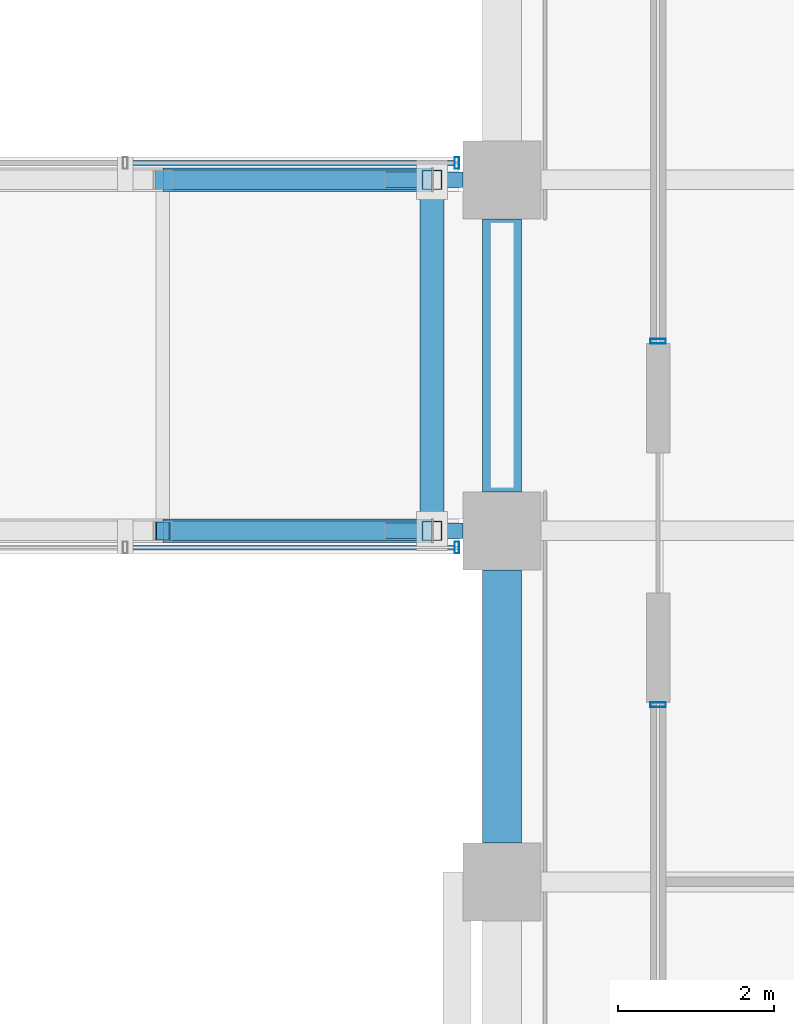
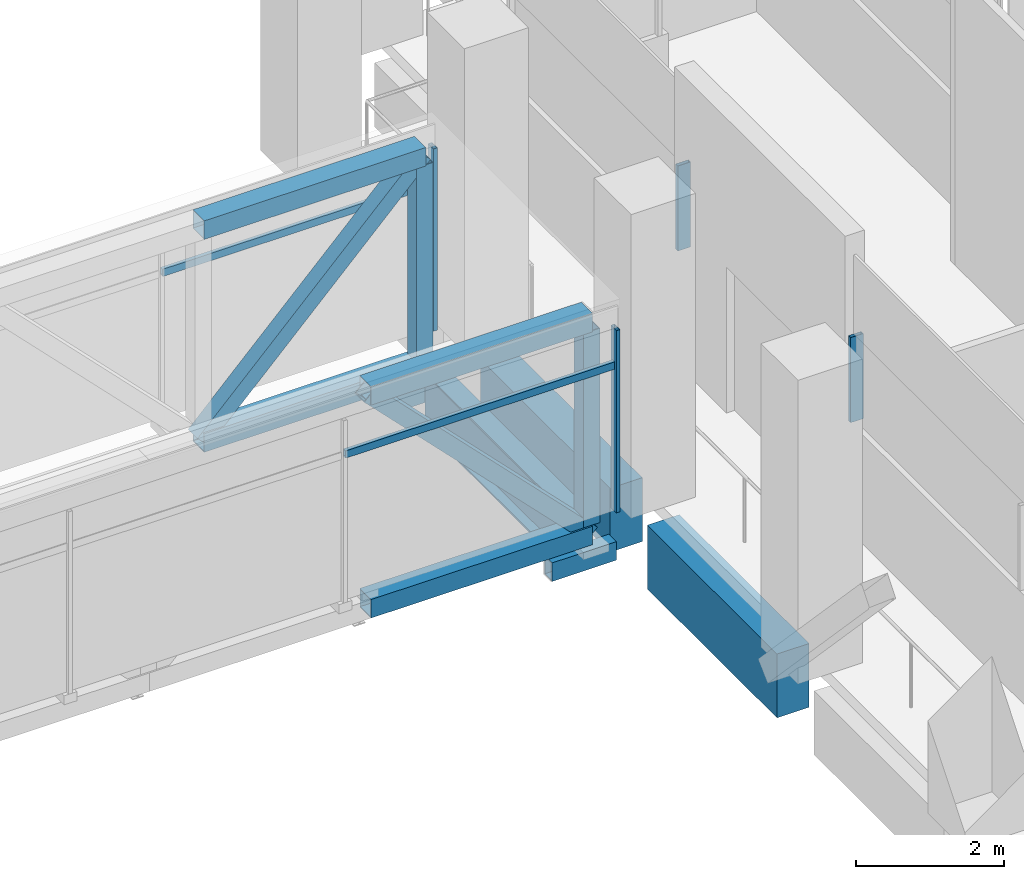
# One storey, part 25 of 48: 14 members, 5 beams, 4 elements without a shape of their own.
"""IFC4 building model written with IfcOpenShell, lengths in metres."""

from ifc_helpers import new_model, si_unit, direction, frame, origin, origin_2d, place, context, subcontext, project, spatial, rectangle, hollow_rectangle, i_section, extrude, material, material_profile, profile_set, type_object, element, aggregate, save


model = new_model("IFC4")

# Units and contexts
model_context = context("Model", 3, precision=1e-05, world=origin(), true_north=direction((0.0, 1.0)))
body_context = subcontext(model_context, "Body", "Model", "MODEL_VIEW")
ifc_project = project(units=[si_unit("LENGTHUNIT", "METRE"), si_unit("AREAUNIT", "SQUARE_METRE"), si_unit("VOLUMEUNIT", "CUBIC_METRE"), si_unit("PLANEANGLEUNIT", "RADIAN"), si_unit("MASSUNIT", "GRAM", prefix="KILO")], contexts=[model_context])

# Site, building, storey
site_placement = place(None, origin())
site = spatial("IfcSite", under=ifc_project, at=site_placement, CompositionType="ELEMENT")
building_placement = place(site_placement, origin())
building = spatial("IfcBuilding", under=site, at=building_placement, Name="Altepetl Exchange Towers", CompositionType="ELEMENT")
storey_placement = place(building_placement, frame((0.0, 0.0, 138.800048828125)))
storey = spatial("IfcBuildingStorey", under=building, at=storey_placement, Name="L34 Refuge and sky lobby", CompositionType="ELEMENT", Elevation=138.800048828125)

# Members
ifc_material_1 = material(Name="Steel S355", Category="steel")
ifc_material_profile_1 = material_profile(ifc_material_1, hollow_rectangle(XDim=0.304931640625, YDim=0.304931640625, WallThickness=0.01171875, at=origin_2d()), Name="HSS305X305X12.7")
ifc_profile_set_1 = profile_set([ifc_material_profile_1], Name="Steel S355")
member_type_1 = type_object("IfcMemberType", Name="Bridge chord HSS305X305X12.7", PredefinedType="CHORD", material=ifc_profile_set_1)
for number, where, z_axis, x_axis, name in (
    (1, (90.14990234375, 45.0, -0.3525390625), (1.0, 0.0, 0.0), (0.0, 1.0, 0.0), "tr:X:L34:bc-s5"),
    (2, (90.14990234375, 45.0, 3.15234375), (1.0, 0.0, 0.0), (0.0, 1.0, 0.0), "tr:X:L34:tc-s5"),
    (3, (90.14990234375, 49.5, -0.3525390625), (1.0, 0.0, 0.0), (0.0, 1.0, 0.0), "tr:X:L34:bc-n5"),
    (4, (90.14990234375, 49.5, 3.15234375), (1.0, 0.0, 0.0), (0.0, 1.0, 0.0), "tr:X:L34:tc-n5"),
):
    element("IfcMember", number, at=place(storey_placement, frame(where, z_axis=z_axis, x_axis=x_axis)), inside=storey, type_object=member_type_1, Name=name, PredefinedType="CHORD", context=body_context, shape_type="SweptSolid", body=[
        extrude(hollow_rectangle(XDim=0.304931640625, YDim=0.304931640625, WallThickness=0.01171875, at=origin_2d()), origin(), (0.0, 0.0, 1.0), 3.4501953125),
    ])

# Beams
ifc_material_profile_2 = material_profile(ifc_material_1, hollow_rectangle(XDim=0.202880859375, YDim=0.304931640625, WallThickness=0.01171875, at=origin_2d()), Name="HSS305X203X12.7")
ifc_profile_set_2 = profile_set([ifc_material_profile_2], Name="Steel S355")
beam_type_1 = type_object("IfcBeamType", Name="Bridge deck beam HSS305X203X12.7", PredefinedType="BEAM", material=ifc_profile_set_2)
for number, where, z_axis, x_axis, name in (
    (5, (94.0, 45.0, -0.777587890625), (-1.0, 0.0, 0.0), (0.0, -1.0, 0.0), "bm:X:L34:corbel-bs"),
    (6, (94.0, 49.5, -0.777587890625), (-1.0, 0.0, 0.0), (0.0, -1.0, 0.0), "bm:X:L34:corbel-bn"),
):
    element("IfcBeam", number, at=place(storey_placement, frame(where, z_axis=z_axis, x_axis=x_axis)), inside=storey, type_object=beam_type_1, Name=name, PredefinedType="BEAM", context=body_context, shape_type="SweptSolid", body=[
        extrude(hollow_rectangle(XDim=0.202880859375, YDim=0.304931640625, WallThickness=0.01171875, at=origin_2d()), origin(), (0.0, 0.0, 1.0), 1.0),
    ])
ifc_material_profile_3 = material_profile(ifc_material_1, i_section(OverallWidth=0.306884765625, OverallDepth=0.923095703125, WebThickness=0.018310546875, FlangeThickness=0.030029296875, at=origin_2d()), Name="W36X182")
ifc_profile_set_3 = profile_set([ifc_material_profile_3], Name="Steel S355")
beam_type_2 = type_object("IfcBeamType", Name="Bridge deck beam W36X182", PredefinedType="BEAM", material=ifc_profile_set_3)
beam_placement = place(storey_placement, frame((93.60009765625, 45.152587890625, -0.66162109375), z_axis=(0.0, 1.0, 0.0), x_axis=(-1.0, 0.0, 0.0)))
element("IfcBeam", 7, at=beam_placement, inside=storey, type_object=beam_type_2, Name="bm:X:L34:eg-b", PredefinedType="BEAM", context=body_context, shape_type="SweptSolid", body=[
    extrude(i_section(OverallWidth=0.306884765625, OverallDepth=0.923095703125, WebThickness=0.018310546875, FlangeThickness=0.030029296875, at=origin_2d()), origin(), (0.0, 0.0, 1.0), 4.19482421875),
])

# Members
ifc_material_profile_4 = material_profile(ifc_material_1, hollow_rectangle(XDim=0.25390625, YDim=0.25390625, WallThickness=0.01171875, at=origin_2d()), Name="HSS254X254X12.7")
ifc_profile_set_4 = profile_set([ifc_material_profile_4], Name="Steel S355")
member_type_2 = type_object("IfcMemberType", Name="Bridge diagonal HSS254X254X12.7", PredefinedType="BRACE", material=ifc_profile_set_4)
for number, where, z_axis, x_axis, name in (
    (8, (90.14990234375, 45.0, 3.15234375), (0.701525143002, 0.0, -0.712644703717), (0.0, 1.0, 0.0), "tr:X:L34:dg-s5"),
    (9, (90.14990234375, 49.5, -0.3525390625), (0.701525143002, 0.0, 0.712644703717), (0.0, 1.0, 0.0), "tr:X:L34:dg-n5"),
):
    element("IfcMember", number, at=place(storey_placement, frame(where, z_axis=z_axis, x_axis=x_axis)), inside=storey, type_object=member_type_2, Name=name, PredefinedType="BRACE", context=body_context, shape_type="SweptSolid", body=[
        extrude(hollow_rectangle(XDim=0.25390625, YDim=0.25390625, WallThickness=0.01171875, at=origin_2d()), origin(), (0.0, 0.0, 1.0), 4.918212890625),
    ])
ifc_material_profile_5 = material_profile(ifc_material_1, hollow_rectangle(XDim=0.25390625, YDim=0.25390625, WallThickness=0.01171875, at=origin_2d()), Name="HSS254X254X12.7")
ifc_profile_set_5 = profile_set([ifc_material_profile_5], Name="Steel S355")
member_type_3 = type_object("IfcMemberType", Name="Bridge post HSS254X254X12.7", PredefinedType="POST", material=ifc_profile_set_5)
for number, where, name in (
    (10, (93.60009765625, 45.0, -0.199951171875), "tr:X:L34:ps-s6"),
    (11, (93.60009765625, 49.5, -0.199951171875), "tr:X:L34:ps-n6"),
):
    element("IfcMember", number, at=place(storey_placement, frame(where)), inside=storey, type_object=member_type_3, Name=name, PredefinedType="POST", context=body_context, shape_type="SweptSolid", body=[
        extrude(hollow_rectangle(XDim=0.25390625, YDim=0.25390625, WallThickness=0.01171875, at=origin_2d()), origin(), (0.0, 0.0, 1.0), 3.199951171875),
    ])

# Curtain wall, member
ifc_material_2 = material(Name="Aluminium 6063-T6 glazing", Category="aluminium")
curtain_wall_type_1 = type_object("IfcCurtainWallType", Name="Bridge enclosure system", PredefinedType="NOTDEFINED", material=ifc_material_2)
curtain_wall_1_placement = place(storey_placement, origin())
curtain_wall_1 = element("IfcCurtainWall", 12, at=curtain_wall_1_placement, inside=storey, type_object=curtain_wall_type_1, Name="CW6 run", PredefinedType="NOTDEFINED")
ifc_material_3 = material(Name="Aluminium 6063-T6", Category="aluminium")
ifc_material_profile_6 = material_profile(ifc_material_3, hollow_rectangle(XDim=0.06005859375, YDim=0.14990234375, WallThickness=0.0029296875, at=origin_2d()), Name="Mullion 60x150 aluminium")
ifc_profile_set_6 = profile_set([ifc_material_profile_6], Name="Aluminium 6063-T6")
member_type_4 = type_object("IfcMemberType", Name="Mullion 60x150 aluminium", PredefinedType="MULLION", material=ifc_profile_set_6)
member_1_placement = place(storey_placement, frame((93.919921875, 44.784912109375, 0.0)))
member_1 = element("IfcMember", 13, at=member_1_placement, type_object=member_type_4, Name="MU1 mullion", PredefinedType="MULLION", context=body_context, shape_type="SweptSolid", body=[
    extrude(hollow_rectangle(XDim=0.06005859375, YDim=0.14990234375, WallThickness=0.0029296875, at=origin_2d()), origin(), (0.0, 0.0, 1.0), 3.0),
])

curtain_wall_2_placement = place(storey_placement, origin())
curtain_wall_2 = element("IfcCurtainWall", 14, at=curtain_wall_2_placement, inside=storey, type_object=curtain_wall_type_1, Name="CW6 run", PredefinedType="NOTDEFINED")
member_2_placement = place(storey_placement, frame((93.919921875, 49.715087890625, 0.0)))
member_2 = element("IfcMember", 15, at=member_2_placement, type_object=member_type_4, Name="MU1 mullion", PredefinedType="MULLION", context=body_context, shape_type="SweptSolid", body=[
    extrude(hollow_rectangle(XDim=0.06005859375, YDim=0.14990234375, WallThickness=0.0029296875, at=origin_2d()), origin(), (0.0, 0.0, 1.0), 3.0),
])

curtain_wall_type_2 = type_object("IfcCurtainWallType", Name="Refuge slit glazing system", PredefinedType="NOTDEFINED", material=ifc_material_2)
curtain_wall_3_placement = place(storey_placement, origin())
curtain_wall_3 = element("IfcCurtainWall", 16, at=curtain_wall_3_placement, inside=storey, type_object=curtain_wall_type_2, Name="CW3 run", PredefinedType="NOTDEFINED")
ifc_material_profile_7 = material_profile(ifc_material_3, hollow_rectangle(XDim=0.06005859375, YDim=0.199951171875, WallThickness=0.0029296875, at=origin_2d()), Name="Mullion 60x200 aluminium")
ifc_profile_set_7 = profile_set([ifc_material_profile_7], Name="Aluminium 6063-T6")
member_type_5 = type_object("IfcMemberType", Name="Mullion 60x200 aluminium", PredefinedType="MULLION", material=ifc_profile_set_7)
member_3_placement = place(storey_placement, frame((96.5, 47.429931640625, 1.800048828125), z_axis=(0.0, 0.0, 1.0), x_axis=(0.0, -1.0, 0.0)))
member_3 = element("IfcMember", 17, at=member_3_placement, type_object=member_type_5, Name="MU2 mullion", PredefinedType="MULLION", context=body_context, shape_type="SweptSolid", body=[
    extrude(hollow_rectangle(XDim=0.06005859375, YDim=0.199951171875, WallThickness=0.0029296875, at=origin_2d()), origin(), (0.0, 0.0, 1.0), 1.39990234375),
])
aggregate(curtain_wall_3, [member_3])

curtain_wall_4_placement = place(storey_placement, origin())
curtain_wall_4 = element("IfcCurtainWall", 18, at=curtain_wall_4_placement, inside=storey, type_object=curtain_wall_type_2, Name="CW3 run", PredefinedType="NOTDEFINED")
member_4_placement = place(storey_placement, frame((96.5, 42.77001953125, 1.800048828125), z_axis=(0.0, 0.0, 1.0), x_axis=(0.0, -1.0, 0.0)))
member_4 = element("IfcMember", 19, at=member_4_placement, type_object=member_type_5, Name="MU2 mullion", PredefinedType="MULLION", context=body_context, shape_type="SweptSolid", body=[
    extrude(hollow_rectangle(XDim=0.06005859375, YDim=0.199951171875, WallThickness=0.0029296875, at=origin_2d()), origin(), (0.0, 0.0, 1.0), 1.39990234375),
])
aggregate(curtain_wall_4, [member_4])

# Beams
ifc_material_4 = material(Name="Concrete C50/60 precast with cantera rosa facing", Category="concrete")
ifc_material_profile_8 = material_profile(ifc_material_4, rectangle(XDim=0.5, YDim=1.050048828125, at=origin_2d()), Name="500 x 1050")
ifc_profile_set_8 = profile_set([ifc_material_profile_8], Name="Concrete C50/60 precast with cantera rosa facing")
beam_type_3 = type_object("IfcBeamType", Name="Spandrel beam 500x1050 cantera rosa", PredefinedType="SPANDREL", material=ifc_profile_set_8)
for number, where, z_axis, x_axis, name in (
    (20, (94.5, 49.0, -0.72509765625), (0.0, -1.0, 0.0), (1.0, 0.0, 0.0), "sp:B:L34:023"),
    (21, (94.5, 44.5, -0.72509765625), (0.0, -1.0, 0.0), (1.0, 0.0, 0.0), "sp:B:L34:024"),
):
    element("IfcBeam", number, at=place(storey_placement, frame(where, z_axis=z_axis, x_axis=x_axis)), inside=storey, type_object=beam_type_3, Name=name, PredefinedType="SPANDREL", context=body_context, shape_type="SweptSolid", body=[
        extrude(rectangle(XDim=0.5, YDim=1.050048828125, at=origin_2d()), origin(), (0.0, 0.0, 1.0), 3.5),
    ])

# Member
ifc_material_profile_9 = material_profile(ifc_material_3, hollow_rectangle(XDim=0.06005859375, YDim=0.1201171875, WallThickness=0.0029296875, at=origin_2d()), Name="Transom 60x120 aluminium")
ifc_profile_set_9 = profile_set([ifc_material_profile_9], Name="Aluminium 6063-T6")
member_type_6 = type_object("IfcMemberType", Name="Transom 60x120 aluminium", PredefinedType="USERDEFINED", material=ifc_profile_set_9)
member_5_placement = place(storey_placement, frame((89.699951171875, 44.784912109375, 2.39990234375), z_axis=(1.0, 0.0, 0.0), x_axis=(0.0, 1.0, 0.0)))
member_5 = element("IfcMember", 22, at=member_5_placement, type_object=member_type_6, Name="TR1 transom", ObjectType="TRANSOM", PredefinedType="USERDEFINED", context=body_context, shape_type="SweptSolid", body=[
    extrude(hollow_rectangle(XDim=0.06005859375, YDim=0.1201171875, WallThickness=0.0029296875, at=origin_2d()), origin(), (0.0, 0.0, 1.0), 4.18994140625),
])

aggregate(curtain_wall_1, [member_1, member_5])

member_6_placement = place(storey_placement, frame((89.699951171875, 49.715087890625, 2.39990234375), z_axis=(1.0, 0.0, 0.0), x_axis=(0.0, 1.0, 0.0)))
member_6 = element("IfcMember", 23, at=member_6_placement, type_object=member_type_6, Name="TR1 transom", ObjectType="TRANSOM", PredefinedType="USERDEFINED", context=body_context, shape_type="SweptSolid", body=[
    extrude(hollow_rectangle(XDim=0.06005859375, YDim=0.1201171875, WallThickness=0.0029296875, at=origin_2d()), origin(), (0.0, 0.0, 1.0), 4.18994140625),
])

aggregate(curtain_wall_2, [member_2, member_6])

save(model, "model.ifc")
